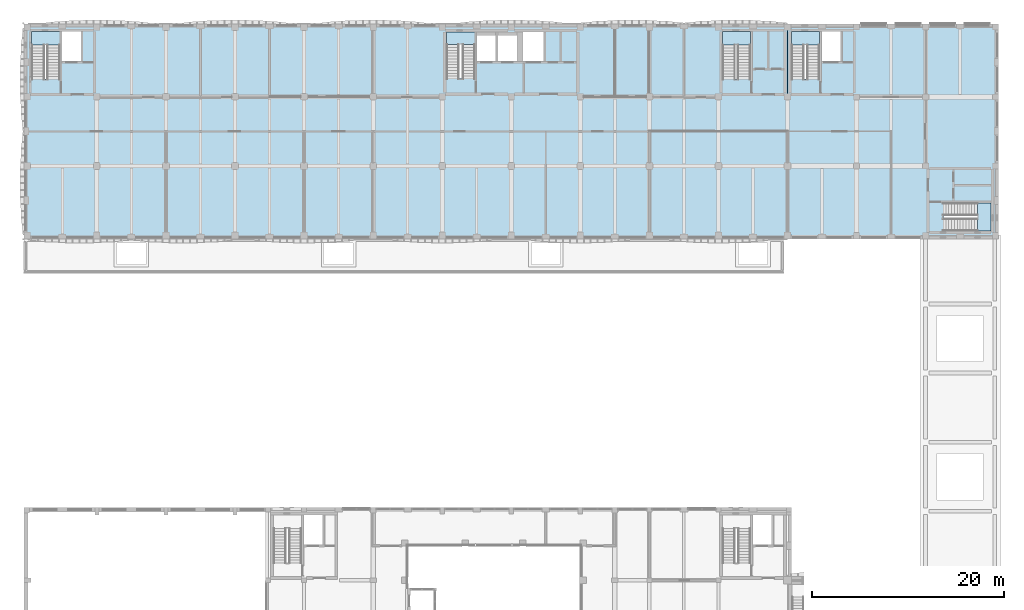
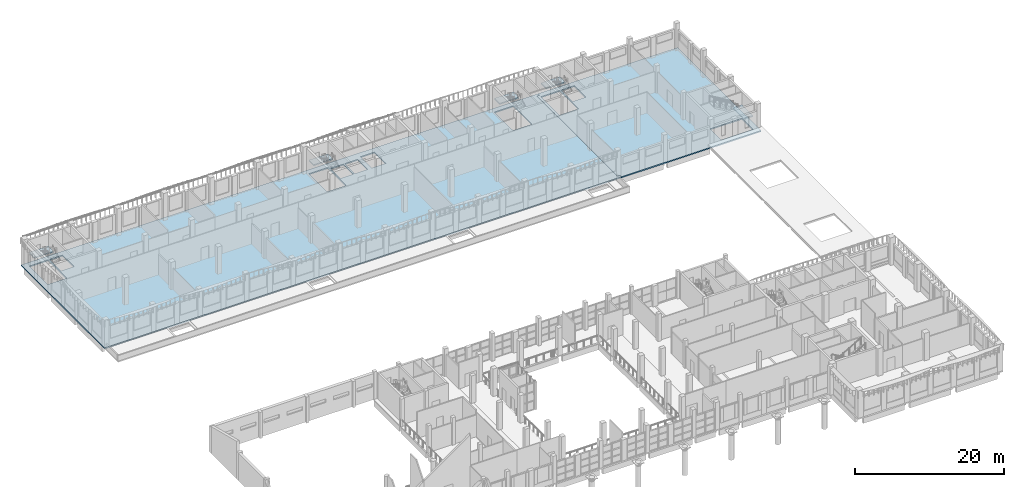
# One storey, part 17 of 59: 7 slabs, 5 elements without a shape of their own.
"""IFC4 building model written with IfcOpenShell, lengths in metres."""

from ifc_helpers import new_model, si_unit, direction, frame, origin, place, context, subcontext, project, spatial, polyline, outline, extrude, material, layer, layer_set, type_object, element, aggregate, save


model = new_model("IFC4")

# Units and contexts
model_context = context("Model", 3, precision=1e-05, world=origin(), true_north=direction((0.0, 1.0)))
body_context = subcontext(model_context, "Body", "Model", "MODEL_VIEW")
ifc_project = project(units=[si_unit("LENGTHUNIT", "METRE"), si_unit("AREAUNIT", "SQUARE_METRE"), si_unit("VOLUMEUNIT", "CUBIC_METRE"), si_unit("PLANEANGLEUNIT", "RADIAN"), si_unit("MASSUNIT", "GRAM", prefix="KILO")], contexts=[model_context])

# Site, building, storey
site_placement = place(None, origin())
site = spatial("IfcSite", under=ifc_project, at=site_placement, CompositionType="ELEMENT")
building_placement = place(site_placement, origin())
building = spatial("IfcBuilding", under=site, at=building_placement, Name="Ussher Court Research Institute", CompositionType="ELEMENT")
storey_placement = place(building_placement, frame((0.0, 0.0, 5.39990234375)))
storey = spatial("IfcBuildingStorey", under=building, at=storey_placement, Name="L01", CompositionType="ELEMENT", Elevation=5.39990234375)

# Slabs
ifc_material_1 = material(Name="Concrete C35/45", Category="concrete")
ifc_layer_1 = layer(ifc_material_1, 0.199951171875)
ifc_layer_set_1 = layer_set([ifc_layer_1], Name="Concrete C35/45")
slab_type_1 = type_object("IfcSlabType", Name="Floor slab 200", PredefinedType="FLOOR", material=ifc_layer_set_1)
slab_1_placement = place(storey_placement, frame((0.0, 0.0, -0.199951171875)))
element("IfcSlab", 1, at=slab_1_placement, inside=storey, type_object=slab_type_1, Name="FS200 V5 L01-01", PredefinedType="FLOOR", context=body_context, shape_type="SweptSolid", body=[
    extrude(outline(polyline([(82.60009765625, 90.800048828125), (2.60009765625, 90.800048828125), (2.60009765625, 68.39990234375), (82.60009765625, 68.39990234375), (82.60009765625, 68.800048828125), (82.199951171875, 68.800048828125), (82.199951171875, 90.39990234375), (82.60009765625, 90.39990234375), (82.60009765625, 90.800048828125)]), holes=[polyline([(3.39990234375, 85.050048828125), (3.39990234375, 90.0), (6.35009765625, 90.0), (6.35009765625, 85.050048828125), (3.39990234375, 85.050048828125)]), polyline([(46.64990234375, 89.949951171875), (49.60009765625, 89.949951171875), (49.60009765625, 85.10009765625), (46.64990234375, 85.10009765625), (46.64990234375, 89.949951171875)]), polyline([(49.800048828125, 86.89990234375), (49.800048828125, 89.60009765625), (51.800048828125, 89.60009765625), (51.800048828125, 86.89990234375), (49.800048828125, 86.89990234375)]), polyline([(54.0, 86.89990234375), (52.0, 86.89990234375), (52.0, 89.60009765625), (54.0, 89.60009765625), (54.0, 86.89990234375)]), polyline([(54.60009765625, 86.89990234375), (54.60009765625, 89.949951171875), (56.800048828125, 89.949951171875), (56.800048828125, 86.89990234375), (54.60009765625, 86.89990234375)]), polyline([(6.550048828125, 86.89990234375), (6.550048828125, 90.0), (8.550048828125, 90.0), (8.550048828125, 86.89990234375), (6.550048828125, 86.89990234375)]), polyline([(75.39990234375, 85.050048828125), (75.39990234375, 90.0), (78.35009765625, 90.0), (78.35009765625, 85.050048828125), (75.39990234375, 85.050048828125)])]), origin(), (0.0, 0.0, 1.0), 0.199951171875),
])
slab_2_placement = place(storey_placement, frame((0.0, 0.0, -0.199951171875)))
element("IfcSlab", 2, at=slab_2_placement, inside=storey, type_object=slab_type_1, Name="FS200 V3 L01-01", PredefinedType="FLOOR", context=body_context, shape_type="SweptSolid", body=[
    extrude(outline(polyline([(82.60009765625, 90.39990234375), (82.199951171875, 90.39990234375), (82.199951171875, 68.800048828125), (82.60009765625, 68.800048828125), (82.60009765625, 68.39990234375), (104.199951171875, 68.39990234375), (104.199951171875, 90.800048828125), (82.60009765625, 90.800048828125), (82.60009765625, 90.39990234375)]), holes=[polyline([(103.39990234375, 72.14990234375), (103.39990234375, 69.199951171875), (98.449951171875, 69.199951171875), (98.449951171875, 72.14990234375), (103.39990234375, 72.14990234375)]), polyline([(82.60009765625, 90.0), (85.550048828125, 90.0), (85.550048828125, 85.050048828125), (82.60009765625, 85.050048828125), (82.60009765625, 90.0)]), polyline([(85.75, 86.89990234375), (85.75, 90.0), (87.75, 90.0), (87.75, 86.89990234375), (85.75, 86.89990234375)])]), origin(), (0.0, 0.0, 1.0), 0.199951171875),
])

# Stair, slab
ifc_material_2 = material(Name="Concrete C35/45", Category="concrete")
stair_type_1 = type_object("IfcStairType", Name="Core stair 26 risers 173 mm x 300 going 1300 wide", PredefinedType="HALF_TURN_STAIR", material=ifc_material_2)
stair_1_placement = place(storey_placement, origin())
stair_1 = element("IfcStair", 3, at=stair_1_placement, inside=storey, type_object=stair_type_1, Name="L01 Stair C1", PredefinedType="HALF_TURN_STAIR")
ifc_material_3 = material(Name="Concrete C35/45", Category="concrete")
ifc_layer_2 = layer(ifc_material_3, 0.199951171875)
ifc_layer_set_2 = layer_set([ifc_layer_2], Name="Concrete C35/45")
slab_type_2 = type_object("IfcSlabType", Name="Stair landing 200 RC", PredefinedType="LANDING", material=ifc_layer_set_2)
slab_3_placement = place(storey_placement, frame((0.0, 0.0, 2.050048828125)))
slab_3 = element("IfcSlab", 4, at=slab_3_placement, type_object=slab_type_2, Name="C1 landing 1", PredefinedType="LANDING", context=body_context, shape_type="SweptSolid", body=[
    extrude(outline(polyline([(85.550048828125, 88.60009765625), (85.550048828125, 90.0), (82.60009765625, 90.0), (82.60009765625, 88.60009765625), (85.550048828125, 88.60009765625)])), origin(), (0.0, 0.0, 1.0), 0.199951171875),
])
aggregate(stair_1, [slab_3])

stair_2_placement = place(storey_placement, origin())
stair_2 = element("IfcStair", 5, at=stair_2_placement, inside=storey, type_object=stair_type_1, Name="L01 Stair C2", PredefinedType="HALF_TURN_STAIR")
slab_4_placement = place(storey_placement, frame((0.0, 0.0, 2.050048828125)))
slab_4 = element("IfcSlab", 6, at=slab_4_placement, type_object=slab_type_2, Name="C2 landing 1", PredefinedType="LANDING", context=body_context, shape_type="SweptSolid", body=[
    extrude(outline(polyline([(102.0, 69.199951171875), (103.39990234375, 69.199951171875), (103.39990234375, 72.14990234375), (102.0, 72.14990234375), (102.0, 69.199951171875)])), origin(), (0.0, 0.0, 1.0), 0.199951171875),
])
aggregate(stair_2, [slab_4])

ifc_material_4 = material(Name="Concrete C35/45", Category="concrete")
stair_type_2 = type_object("IfcStairType", Name="Core stair 26 risers 173 mm x 300 going 1280 wide", PredefinedType="HALF_TURN_STAIR", material=ifc_material_4)
stair_3_placement = place(storey_placement, origin())
stair_3 = element("IfcStair", 7, at=stair_3_placement, inside=storey, type_object=stair_type_2, Name="L01 Stair D2", PredefinedType="HALF_TURN_STAIR")
slab_5_placement = place(storey_placement, frame((0.0, 0.0, 2.050048828125)))
slab_5 = element("IfcSlab", 8, at=slab_5_placement, type_object=slab_type_2, Name="D2 landing 1", PredefinedType="LANDING", context=body_context, shape_type="SweptSolid", body=[
    extrude(outline(polyline([(49.60009765625, 88.64990234375), (49.60009765625, 89.949951171875), (46.64990234375, 89.949951171875), (46.64990234375, 88.64990234375), (49.60009765625, 88.64990234375)])), origin(), (0.0, 0.0, 1.0), 0.199951171875),
])
aggregate(stair_3, [slab_5])

ifc_material_5 = material(Name="Concrete C35/45", Category="concrete")
stair_type_3 = type_object("IfcStairType", Name="Core stair 26 risers 173 mm x 300 going 1350 wide", PredefinedType="HALF_TURN_STAIR", material=ifc_material_5)
stair_4_placement = place(storey_placement, origin())
stair_4 = element("IfcStair", 9, at=stair_4_placement, inside=storey, type_object=stair_type_3, Name="L01 Stair D1", PredefinedType="HALF_TURN_STAIR")
ifc_material_6 = material(Name="Concrete C35/45", Category="concrete")
ifc_layer_3 = layer(ifc_material_6, 0.239990234375)
ifc_layer_set_3 = layer_set([ifc_layer_3], Name="Concrete C35/45")
slab_type_3 = type_object("IfcSlabType", Name="Stair landing 240 RC", PredefinedType="LANDING", material=ifc_layer_set_3)
slab_6_placement = place(storey_placement, frame((0.0, 0.0, 2.050048828125)))
slab_6 = element("IfcSlab", 10, at=slab_6_placement, type_object=slab_type_3, Name="D1 landing 1", PredefinedType="LANDING", context=body_context, shape_type="SweptSolid", body=[
    extrude(outline(polyline([(6.35009765625, 88.60009765625), (6.35009765625, 90.0), (3.39990234375, 90.0), (3.39990234375, 88.60009765625), (6.35009765625, 88.60009765625)])), origin(), (0.0, 0.0, 1.0), 0.199951171875),
])
aggregate(stair_4, [slab_6])

stair_5_placement = place(storey_placement, origin())
stair_5 = element("IfcStair", 11, at=stair_5_placement, inside=storey, type_object=stair_type_3, Name="L01 Stair D3", PredefinedType="HALF_TURN_STAIR")
slab_7_placement = place(storey_placement, frame((0.0, 0.0, 2.050048828125)))
slab_7 = element("IfcSlab", 12, at=slab_7_placement, type_object=slab_type_3, Name="D3 landing 1", PredefinedType="LANDING", context=body_context, shape_type="SweptSolid", body=[
    extrude(outline(polyline([(78.35009765625, 88.60009765625), (78.35009765625, 90.0), (75.39990234375, 90.0), (75.39990234375, 88.60009765625), (78.35009765625, 88.60009765625)])), origin(), (0.0, 0.0, 1.0), 0.199951171875),
])
aggregate(stair_5, [slab_7])

save(model, "model.ifc")
